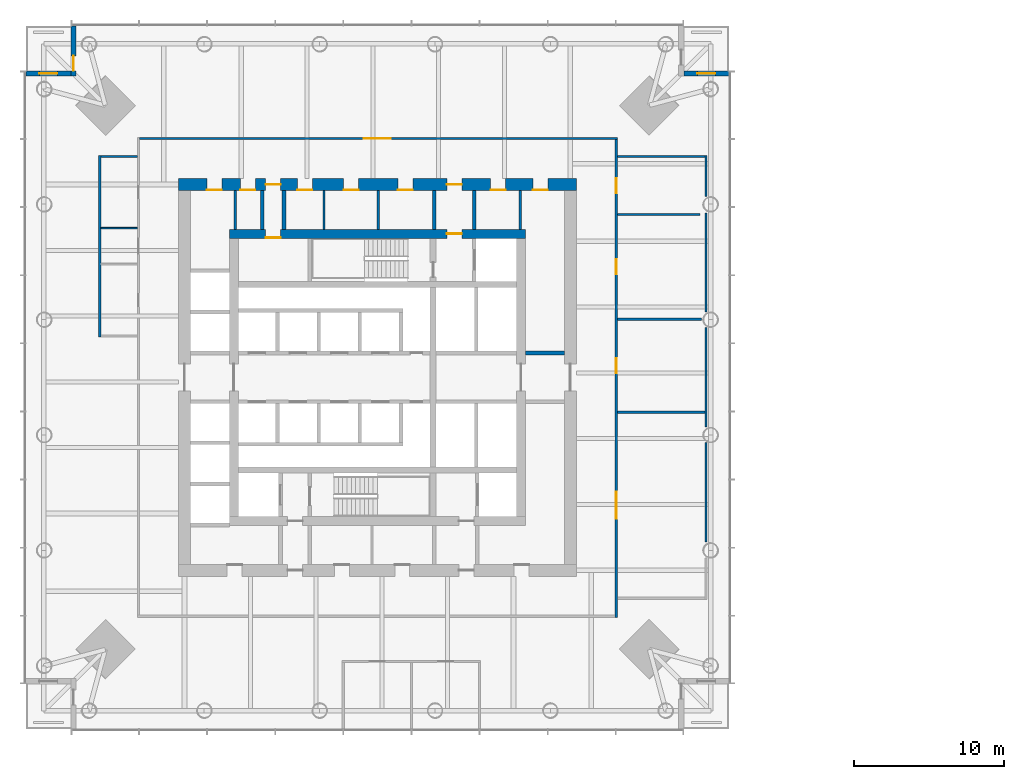
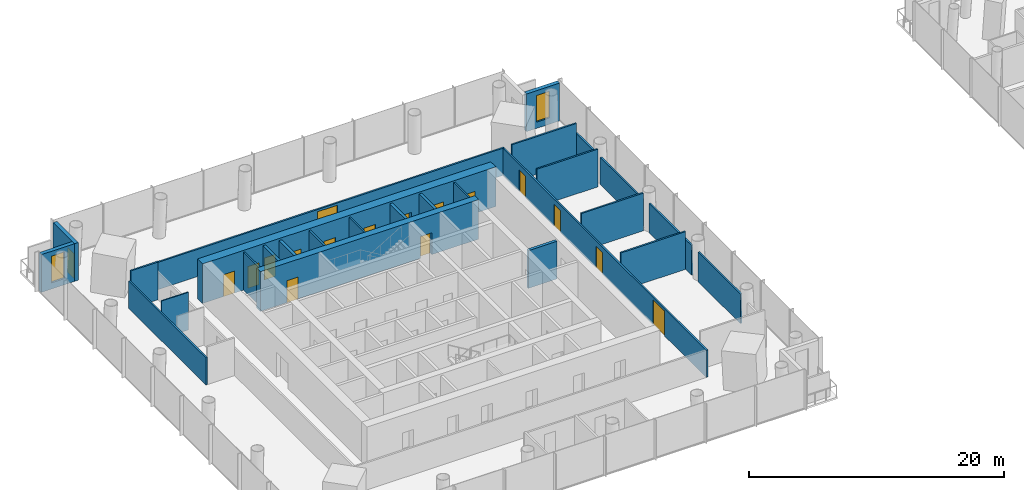
# One storey, part 11 of 18: 27 walls, 17 doors, 2 windows, 19 openings.
"""IFC4 building model written with IfcOpenShell, lengths in metres."""

from ifc_helpers import new_model, si_unit, direction, frame, frame_2d, origin, place, context, subcontext, project, spatial, rectangle, extrude, material, layer, layer_set, type_object, element, fill, save


model = new_model("IFC4")

# Units and contexts
model_context = context("Model", 3, precision=1e-05, world=origin(), true_north=direction((0.0, 1.0)))
body_context = subcontext(model_context, "Body", "Model", "MODEL_VIEW")
ifc_project = project(units=[si_unit("LENGTHUNIT", "METRE"), si_unit("AREAUNIT", "SQUARE_METRE"), si_unit("VOLUMEUNIT", "CUBIC_METRE"), si_unit("PLANEANGLEUNIT", "RADIAN"), si_unit("MASSUNIT", "GRAM", prefix="KILO")], contexts=[model_context])

# Site, building, storey
site_placement = place(None, origin())
site = spatial("IfcSite", under=ifc_project, at=site_placement, CompositionType="ELEMENT")
building_placement = place(site_placement, origin())
building = spatial("IfcBuilding", under=site, at=building_placement, Name="Ostroluk Exchange", CompositionType="ELEMENT")
storey_placement = place(building_placement, frame((0.0, 0.0, 74.199951171875)))
storey = spatial("IfcBuildingStorey", under=building, at=storey_placement, Name="L18", CompositionType="ELEMENT", Elevation=74.199951171875)

# Walls
ifc_material_1 = material(Name="Concrete blockwork", Category="masonry")
ifc_layer_1 = layer(ifc_material_1, 0.10009765625)
ifc_layer_set_1 = layer_set([ifc_layer_1], Name="Blockwork WC wall 100")
wall_type_1 = type_object("IfcWallType", Name="Blockwork WC wall 100", PredefinedType="SOLIDWALL", material=ifc_layer_set_1)
wall_1_placement = place(storey_placement, frame((28.949951171875, 55.97509765625, 0.0), z_axis=(0.0, 0.0, 1.0), x_axis=(-1.0, 0.0, 0.0)))
element("IfcWall", 1, at=wall_1_placement, inside=storey, type_object=wall_type_1, Name="Blockwork WC wall", PredefinedType="SOLIDWALL", context=body_context, shape_type="SweptSolid", body=[
    extrude(rectangle(XDim=2.449951171875, YDim=0.10009765625, at=frame_2d((1.22509765625, 0.0))), origin(), (0.0, 0.0, 1.0), 3.6201171875),
])
ifc_material_2 = material(Name="Concrete blockwork", Category="masonry")
ifc_layer_2 = layer(ifc_material_2, 0.14990234375)
ifc_layer_set_2 = layer_set([ifc_layer_2], Name="Blockwork plant room wall 150")
wall_type_2 = type_object("IfcWallType", Name="Blockwork plant room wall 150", PredefinedType="SOLIDWALL", material=ifc_layer_set_2)
for number, where, z_axis, x_axis, name in (
    (2, (35.491943359375, 55.89990234375, 0.0), (0.0, 0.0, 1.0), (0.0, 1.0, 0.0), "Core room wall"),
    (3, (41.42431640625, 55.89990234375, 0.0), (0.0, 0.0, 1.0), (0.0, 1.0, 0.0), "Core room wall"),
    (4, (45.05224609375, 55.89990234375, 0.0), (0.0, 0.0, 1.0), (0.0, 1.0, 0.0), "Core room wall"),
    (5, (54.550048828125, 55.89990234375, 0.0), (0.0, 0.0, 1.0), (0.0, 1.0, 0.0), "Core room wall"),
):
    element("IfcWall", number, at=place(storey_placement, frame(where, z_axis=z_axis, x_axis=x_axis)), inside=storey, type_object=wall_type_2, Name=name, PredefinedType="SOLIDWALL", context=body_context, shape_type="SweptSolid", body=[
        extrude(rectangle(XDim=2.60009765625, YDim=0.14990234375, at=frame_2d((1.300048828125, 0.0))), origin(), (0.0, 0.0, 1.0), 3.6201171875),
    ])
ifc_material_3 = material(Name="Concrete blockwork", Category="masonry")
ifc_layer_3 = layer(ifc_material_3, 0.25)
ifc_layer_set_3 = layer_set([ifc_layer_3], Name="Blockwork stair enclosure wall 250")
wall_type_3 = type_object("IfcWallType", Name="Blockwork stair enclosure wall 250", PredefinedType="SOLIDWALL", material=ifc_layer_set_3)
for number, where, z_axis, x_axis, name in (
    (6, (48.804931640625, 55.89990234375, 0.0), (0.0, 0.0, 1.0), (0.0, 1.0, 0.0), "Fire lobby enclosure wall"),
    (7, (51.47509765625, 55.89990234375, 0.0), (0.0, 0.0, 1.0), (0.0, 1.0, 0.0), "Fire lobby enclosure wall"),
    (8, (54.89990234375, 47.625, 0.0), (0.0, 0.0, 1.0), (1.0, 0.0, 0.0), "Lift lobby enclosure wall"),
    (9, (37.300048828125, 55.89990234375, 0.0), (0.0, 0.0, 1.0), (0.0, 1.0, 0.0), "Core corridor wall"),
    (10, (38.75, 55.89990234375, 0.0), (0.0, 0.0, 1.0), (0.0, 1.0, 0.0), "Core corridor wall"),
):
    element("IfcWall", number, at=place(storey_placement, frame(where, z_axis=z_axis, x_axis=x_axis)), inside=storey, type_object=wall_type_3, Name=name, PredefinedType="SOLIDWALL", context=body_context, shape_type="SweptSolid", body=[
        extrude(rectangle(XDim=2.60009765625, YDim=0.25, at=frame_2d((1.300048828125, 0.0))), origin(), (0.0, 0.0, 1.0), 3.6201171875),
    ])

# Wall, openings, doors
ifc_material_4 = material(Name="Concrete C50/60", Category="concrete")
ifc_layer_4 = layer(ifc_material_4, 0.60009765625)
ifc_layer_set_4 = layer_set([ifc_layer_4], Name="Core wall 600 C50/60")
wall_type_4 = type_object("IfcWallType", Name="Core wall 600 C50/60", PredefinedType="SHEAR", material=ifc_layer_set_4)
wall_2_placement = place(storey_placement, frame((35.10009765625, 55.60009765625, 0.0), z_axis=(0.0, 0.0, 1.0), x_axis=(1.0, 0.0, 0.0)))
wall_2 = element("IfcWall", 11, at=wall_2_placement, inside=storey, type_object=wall_type_4, Name="T1 core wall N", PredefinedType="SHEAR", context=body_context, shape_type="SweptSolid", body=[
    extrude(rectangle(XDim=19.7998046875, YDim=0.60009765625, at=frame_2d((9.89990234375, 0.0))), origin(), (0.0, 0.0, 1.0), 3.800048828125),
])
opening_1_placement = place(wall_2_placement, frame((14.5400390625, 0.0, 0.0)))
opening_1 = element("IfcOpeningElement", 12, at=opening_1_placement, cuts=wall_2, Name="Opening FD60", PredefinedType="OPENING", context=body_context, shape_type="SweptSolid", body=[
    extrude(rectangle(XDim=1.0, YDim=2.10009765625, at=frame_2d((0.5, 1.050048828125))), frame((0.0, 0.31005859375, 0.0), z_axis=(0.0, -1.0, 0.0), x_axis=(1.0, 0.0, 0.0)), (0.0, 0.0, 1.0), 0.6201171875),
])
opening_2_placement = place(wall_2_placement, frame((2.425048828125, 0.0, 0.0)))
opening_2 = element("IfcOpeningElement", 13, at=opening_2_placement, cuts=wall_2, Name="Opening FD60", PredefinedType="OPENING", context=body_context, shape_type="SweptSolid", body=[
    extrude(rectangle(XDim=1.0, YDim=2.10009765625, at=frame_2d((0.5, 1.050048828125))), frame((0.0, 0.31005859375, 0.0), z_axis=(0.0, -1.0, 0.0), x_axis=(1.0, 0.0, 0.0)), (0.0, 0.0, 1.0), 0.6201171875),
])
ifc_material_5 = material(Name="Steel", Category="steel")
door_type_1 = type_object("IfcDoorType", Name="Fire door EI 60 1000 x 2100", OperationType="SINGLE_SWING_LEFT", PredefinedType="DOOR", material=ifc_material_5)
door_1_placement = place(opening_1_placement, origin())
door_1 = element("IfcDoor", 14, at=door_1_placement, inside=storey, type_object=door_type_1, Name="Firefighting lobby door", OperationType="SINGLE_SWING_RIGHT", OverallHeight=2.10009765625, OverallWidth=1.0, PredefinedType="DOOR", context=body_context, shape_type="SweptSolid", body=[
    extrude(rectangle(XDim=1.0, YDim=2.10009765625, at=frame_2d((0.5, 1.050048828125))), frame((0.0, 0.02490234375, 0.0), z_axis=(0.0, -1.0, 0.0), x_axis=(1.0, 0.0, 0.0)), (0.0, 0.0, 1.0), 0.050048828125),
])
fill(opening_1, door_1)
door_2_placement = place(opening_2_placement, origin())
door_2 = element("IfcDoor", 15, at=door_2_placement, inside=storey, type_object=door_type_1, Name="Tea point door", OperationType="SINGLE_SWING_LEFT", OverallHeight=2.10009765625, OverallWidth=1.0, PredefinedType="DOOR", context=body_context, shape_type="SweptSolid", body=[
    extrude(rectangle(XDim=1.0, YDim=2.10009765625, at=frame_2d((0.5, 1.050048828125))), frame((0.0, -0.23974609375, 0.0), z_axis=(0.0, -1.0, 0.0), x_axis=(1.0, 0.0, 0.0)), (0.0, 0.0, 1.0), 0.050048828125),
])
fill(opening_2, door_2)

ifc_material_6 = material(Name="Concrete C50/60", Category="concrete")
ifc_layer_5 = layer(ifc_material_6, 0.800048828125)
ifc_layer_set_5 = layer_set([ifc_layer_5], Name="Core wall 800 C50/60")
wall_type_5 = type_object("IfcWallType", Name="Core wall 800 C50/60", PredefinedType="SHEAR", material=ifc_layer_set_5)
wall_3_placement = place(storey_placement, frame((31.699951171875, 58.89990234375, 0.0), z_axis=(0.0, 0.0, 1.0), x_axis=(1.0, 0.0, 0.0)))
wall_3 = element("IfcWall", 16, at=wall_3_placement, inside=storey, type_object=wall_type_5, Name="T1 core wall RN", PredefinedType="SHEAR", context=body_context, shape_type="SweptSolid", body=[
    extrude(rectangle(XDim=26.60009765625, YDim=0.800048828125, at=frame_2d((13.300048828125, 0.0))), origin(), (0.0, 0.0, 1.0), 3.800048828125),
])
opening_3_placement = place(wall_3_placement, frame((17.93994140625, 0.0, 0.0)))
opening_3 = element("IfcOpeningElement", 17, at=opening_3_placement, cuts=wall_3, Name="Opening FD60", PredefinedType="OPENING", context=body_context, shape_type="SweptSolid", body=[
    extrude(rectangle(XDim=1.0, YDim=2.10009765625, at=frame_2d((0.5, 1.050048828125))), frame((0.0, 0.409912109375, 0.0), z_axis=(0.0, -1.0, 0.0), x_axis=(1.0, 0.0, 0.0)), (0.0, 0.0, 1.0), 0.820068359375),
])
opening_4_placement = place(wall_3_placement, frame((5.824951171875, 0.0, 0.0)))
opening_4 = element("IfcOpeningElement", 18, at=opening_4_placement, cuts=wall_3, Name="Opening FD60", PredefinedType="OPENING", context=body_context, shape_type="SweptSolid", body=[
    extrude(rectangle(XDim=1.0, YDim=2.10009765625, at=frame_2d((0.5, 1.050048828125))), frame((0.0, 0.409912109375, 0.0), z_axis=(0.0, -1.0, 0.0), x_axis=(1.0, 0.0, 0.0)), (0.0, 0.0, 1.0), 0.820068359375),
])
opening_5_placement = place(wall_3_placement, frame((1.89990234375, 0.0, 0.0)))
opening_5 = element("IfcOpeningElement", 19, at=opening_5_placement, cuts=wall_3, Name="Opening FD60", PredefinedType="OPENING", context=body_context, shape_type="SweptSolid", body=[
    extrude(rectangle(XDim=1.0, YDim=2.10009765625, at=frame_2d((0.5, 1.050048828125))), frame((0.0, 0.409912109375, 0.0), z_axis=(0.0, -1.0, 0.0), x_axis=(1.0, 0.0, 0.0)), (0.0, 0.0, 1.0), 0.820068359375),
])
opening_6_placement = place(wall_3_placement, frame((4.133544921875, 0.0, 0.0)))
opening_6 = element("IfcOpeningElement", 20, at=opening_6_placement, cuts=wall_3, Name="Opening FD60", PredefinedType="OPENING", context=body_context, shape_type="SweptSolid", body=[
    extrude(rectangle(XDim=1.0, YDim=2.10009765625, at=frame_2d((0.5, 1.050048828125))), frame((0.0, 0.409912109375, 0.0), z_axis=(0.0, -1.0, 0.0), x_axis=(1.0, 0.0, 0.0)), (0.0, 0.0, 1.0), 0.820068359375),
])
opening_7_placement = place(wall_3_placement, frame((7.94970703125, 0.0, 0.0)))
opening_7 = element("IfcOpeningElement", 21, at=opening_7_placement, cuts=wall_3, Name="Opening FD60", PredefinedType="OPENING", context=body_context, shape_type="SweptSolid", body=[
    extrude(rectangle(XDim=1.0, YDim=2.10009765625, at=frame_2d((0.5, 1.050048828125))), frame((0.0, 0.409912109375, 0.0), z_axis=(0.0, -1.0, 0.0), x_axis=(1.0, 0.0, 0.0)), (0.0, 0.0, 1.0), 0.820068359375),
])
opening_8_placement = place(wall_3_placement, frame((11.038330078125, 0.0, 0.0)))
opening_8 = element("IfcOpeningElement", 22, at=opening_8_placement, cuts=wall_3, Name="Opening FD60", PredefinedType="OPENING", context=body_context, shape_type="SweptSolid", body=[
    extrude(rectangle(XDim=1.0, YDim=2.10009765625, at=frame_2d((0.5, 1.050048828125))), frame((0.0, 0.409912109375, 0.0), z_axis=(0.0, -1.0, 0.0), x_axis=(1.0, 0.0, 0.0)), (0.0, 0.0, 1.0), 0.820068359375),
])
opening_9_placement = place(wall_3_placement, frame((14.666015625, 0.0, 0.0)))
opening_9 = element("IfcOpeningElement", 23, at=opening_9_placement, cuts=wall_3, Name="Opening FD60", PredefinedType="OPENING", context=body_context, shape_type="SweptSolid", body=[
    extrude(rectangle(XDim=1.0, YDim=2.10009765625, at=frame_2d((0.5, 1.050048828125))), frame((0.0, 0.409912109375, 0.0), z_axis=(0.0, -1.0, 0.0), x_axis=(1.0, 0.0, 0.0)), (0.0, 0.0, 1.0), 0.820068359375),
])
opening_10_placement = place(wall_3_placement, frame((20.875, 0.0, 0.0)))
opening_10 = element("IfcOpeningElement", 24, at=opening_10_placement, cuts=wall_3, Name="Opening FD60", PredefinedType="OPENING", context=body_context, shape_type="SweptSolid", body=[
    extrude(rectangle(XDim=1.0, YDim=2.10009765625, at=frame_2d((0.5, 1.050048828125))), frame((0.0, 0.409912109375, 0.0), z_axis=(0.0, -1.0, 0.0), x_axis=(1.0, 0.0, 0.0)), (0.0, 0.0, 1.0), 0.820068359375),
])
opening_11_placement = place(wall_3_placement, frame((23.699951171875, 0.0, 0.0)))
opening_11 = element("IfcOpeningElement", 25, at=opening_11_placement, cuts=wall_3, Name="Opening FD60", PredefinedType="OPENING", context=body_context, shape_type="SweptSolid", body=[
    extrude(rectangle(XDim=1.0, YDim=2.10009765625, at=frame_2d((0.5, 1.050048828125))), frame((0.0, 0.409912109375, 0.0), z_axis=(0.0, -1.0, 0.0), x_axis=(1.0, 0.0, 0.0)), (0.0, 0.0, 1.0), 0.820068359375),
])
door_3_placement = place(opening_3_placement, origin())
door_3 = element("IfcDoor", 26, at=door_3_placement, inside=storey, type_object=door_type_1, Name="Firefighting lobby door", OperationType="SINGLE_SWING_RIGHT", OverallHeight=2.10009765625, OverallWidth=1.0, PredefinedType="DOOR", context=body_context, shape_type="SweptSolid", body=[
    extrude(rectangle(XDim=1.0, YDim=2.10009765625, at=frame_2d((0.5, 1.050048828125))), frame((0.0, 0.02490234375, 0.0), z_axis=(0.0, -1.0, 0.0), x_axis=(1.0, 0.0, 0.0)), (0.0, 0.0, 1.0), 0.050048828125),
])
fill(opening_3, door_3)
door_4_placement = place(opening_4_placement, origin())
door_4 = element("IfcDoor", 27, at=door_4_placement, inside=storey, type_object=door_type_1, Name="Core corridor door", OperationType="SINGLE_SWING_LEFT", OverallHeight=2.10009765625, OverallWidth=1.0, PredefinedType="DOOR", context=body_context, shape_type="SweptSolid", body=[
    extrude(rectangle(XDim=1.0, YDim=2.10009765625, at=frame_2d((0.5, 1.050048828125))), frame((0.0, 0.02490234375, 0.0), z_axis=(0.0, -1.0, 0.0), x_axis=(1.0, 0.0, 0.0)), (0.0, 0.0, 1.0), 0.050048828125),
])
fill(opening_4, door_4)
door_5_placement = place(opening_5_placement, origin())
door_5 = element("IfcDoor", 28, at=door_5_placement, inside=storey, type_object=door_type_1, Name="Tenant IT room door", OperationType="SINGLE_SWING_LEFT", OverallHeight=2.10009765625, OverallWidth=1.0, PredefinedType="DOOR", context=body_context, shape_type="SweptSolid", body=[
    extrude(rectangle(XDim=1.0, YDim=2.10009765625, at=frame_2d((0.5, 1.050048828125))), frame((0.0, -0.33984375, 0.0), z_axis=(0.0, -1.0, 0.0), x_axis=(1.0, 0.0, 0.0)), (0.0, 0.0, 1.0), 0.050048828125),
])
fill(opening_5, door_5)
door_6_placement = place(opening_6_placement, origin())
door_6 = element("IfcDoor", 29, at=door_6_placement, inside=storey, type_object=door_type_1, Name="Store door", OperationType="SINGLE_SWING_LEFT", OverallHeight=2.10009765625, OverallWidth=1.0, PredefinedType="DOOR", context=body_context, shape_type="SweptSolid", body=[
    extrude(rectangle(XDim=1.0, YDim=2.10009765625, at=frame_2d((0.5, 1.050048828125))), frame((0.0, -0.33984375, 0.0), z_axis=(0.0, -1.0, 0.0), x_axis=(1.0, 0.0, 0.0)), (0.0, 0.0, 1.0), 0.050048828125),
])
fill(opening_6, door_6)
door_7_placement = place(opening_7_placement, origin())
door_7 = element("IfcDoor", 30, at=door_7_placement, inside=storey, type_object=door_type_1, Name="Print and post room door", OperationType="SINGLE_SWING_LEFT", OverallHeight=2.10009765625, OverallWidth=1.0, PredefinedType="DOOR", context=body_context, shape_type="SweptSolid", body=[
    extrude(rectangle(XDim=1.0, YDim=2.10009765625, at=frame_2d((0.5, 1.050048828125))), frame((0.0, -0.33984375, 0.0), z_axis=(0.0, -1.0, 0.0), x_axis=(1.0, 0.0, 0.0)), (0.0, 0.0, 1.0), 0.050048828125),
])
fill(opening_7, door_7)
door_8_placement = place(opening_8_placement, origin())
door_8 = element("IfcDoor", 31, at=door_8_placement, inside=storey, type_object=door_type_1, Name="Archive door", OperationType="SINGLE_SWING_LEFT", OverallHeight=2.10009765625, OverallWidth=1.0, PredefinedType="DOOR", context=body_context, shape_type="SweptSolid", body=[
    extrude(rectangle(XDim=1.0, YDim=2.10009765625, at=frame_2d((0.5, 1.050048828125))), frame((0.0, -0.33984375, 0.0), z_axis=(0.0, -1.0, 0.0), x_axis=(1.0, 0.0, 0.0)), (0.0, 0.0, 1.0), 0.050048828125),
])
fill(opening_8, door_8)
door_9_placement = place(opening_9_placement, origin())
door_9 = element("IfcDoor", 32, at=door_9_placement, inside=storey, type_object=door_type_1, Name="Tenant IT room door", OperationType="SINGLE_SWING_RIGHT", OverallHeight=2.10009765625, OverallWidth=1.0, PredefinedType="DOOR", context=body_context, shape_type="SweptSolid", body=[
    extrude(rectangle(XDim=1.0, YDim=2.10009765625, at=frame_2d((0.5, 1.050048828125))), frame((0.0, -0.33984375, 0.0), z_axis=(0.0, -1.0, 0.0), x_axis=(1.0, 0.0, 0.0)), (0.0, 0.0, 1.0), 0.050048828125),
])
fill(opening_9, door_9)
door_10_placement = place(opening_10_placement, origin())
door_10 = element("IfcDoor", 33, at=door_10_placement, inside=storey, type_object=door_type_1, Name="First aid room door", OperationType="SINGLE_SWING_RIGHT", OverallHeight=2.10009765625, OverallWidth=1.0, PredefinedType="DOOR", context=body_context, shape_type="SweptSolid", body=[
    extrude(rectangle(XDim=1.0, YDim=2.10009765625, at=frame_2d((0.5, 1.050048828125))), frame((0.0, -0.33984375, 0.0), z_axis=(0.0, -1.0, 0.0), x_axis=(1.0, 0.0, 0.0)), (0.0, 0.0, 1.0), 0.050048828125),
])
fill(opening_10, door_10)
door_11_placement = place(opening_11_placement, origin())
door_11 = element("IfcDoor", 34, at=door_11_placement, inside=storey, type_object=door_type_1, Name="Tea point door", OperationType="SINGLE_SWING_RIGHT", OverallHeight=2.10009765625, OverallWidth=1.0, PredefinedType="DOOR", context=body_context, shape_type="SweptSolid", body=[
    extrude(rectangle(XDim=1.0, YDim=2.10009765625, at=frame_2d((0.5, 1.050048828125))), frame((0.0, -0.33984375, 0.0), z_axis=(0.0, -1.0, 0.0), x_axis=(1.0, 0.0, 0.0)), (0.0, 0.0, 1.0), 0.050048828125),
])
fill(opening_11, door_11)

# Wall, opening, window
ifc_material_7 = material(Name="Limestone", Category="masonry")
ifc_layer_6 = layer(ifc_material_7, 0.35009765625)
ifc_layer_set_6 = layer_set([ifc_layer_6], Name="Limestone facade wall 350")
wall_type_6 = type_object("IfcWallType", Name="Limestone facade wall 350", PredefinedType="SOLIDWALL", material=ifc_layer_set_6)
wall_4_placement = place(storey_placement, frame((65.5, 66.324951171875, 0.0), z_axis=(0.0, 0.0, 1.0), x_axis=(1.0, 0.0, 0.0)))
wall_4 = element("IfcWall", 35, at=wall_4_placement, inside=storey, type_object=wall_type_6, Name="Office tower NE corner wall L18 b", PredefinedType="SOLIDWALL", context=body_context, shape_type="SweptSolid", body=[
    extrude(rectangle(XDim=3.0, YDim=0.35009765625, at=frame_2d((1.5, 0.0))), origin(), (0.0, 0.0, 1.0), 3.6201171875),
])
opening_12_placement = place(wall_4_placement, frame((0.89990234375, 0.0, 0.60009765625)))
opening_12 = element("IfcOpeningElement", 36, at=opening_12_placement, cuts=wall_4, Name="Opening WN-L1", PredefinedType="OPENING", context=body_context, shape_type="SweptSolid", body=[
    extrude(rectangle(XDim=1.199951171875, YDim=2.550048828125, at=frame_2d((0.60009765625, 1.27490234375))), frame((0.0, 0.18505859375, 0.0), z_axis=(0.0, -1.0, 0.0), x_axis=(1.0, 0.0, 0.0)), (0.0, 0.0, 1.0), 0.3701171875),
])
ifc_material_8 = material(Name="Laminated clear glass", Category="glass")
window_type = type_object("IfcWindowType", Name="Lancet window 1200 x 2550", PartitioningType="SINGLE_PANEL", PredefinedType="WINDOW", material=ifc_material_8)
window_1_placement = place(opening_12_placement, origin())
window_1 = element("IfcWindow", 37, at=window_1_placement, inside=storey, type_object=window_type, Name="Office tower NE lancet window L18", OverallHeight=2.550048828125, OverallWidth=1.199951171875, PartitioningType="SINGLE_PANEL", PredefinedType="WINDOW", context=body_context, shape_type="SweptSolid", body=[
    extrude(rectangle(XDim=1.199951171875, YDim=2.550048828125, at=frame_2d((0.60009765625, 1.27490234375))), frame((0.0, 0.030029296875, 0.0), z_axis=(0.0, -1.0, 0.0), x_axis=(1.0, 0.0, 0.0)), (0.0, 0.0, 1.0), 0.06005859375),
])
fill(opening_12, window_1)

# Wall, opening, door
wall_5_placement = place(storey_placement, frame((24.675048828125, 69.5, 0.0), z_axis=(0.0, 0.0, 1.0), x_axis=(0.0, -1.0, 0.0)))
wall_5 = element("IfcWall", 38, at=wall_5_placement, inside=storey, type_object=wall_type_6, Name="Office tower NW corner wall L18 a", PredefinedType="SOLIDWALL", context=body_context, shape_type="SweptSolid", body=[
    extrude(rectangle(XDim=3.35009765625, YDim=0.35009765625, at=frame_2d((1.675048828125, 0.0))), origin(), (0.0, 0.0, 1.0), 3.6201171875),
])
opening_13_placement = place(wall_5_placement, frame((2.0, 0.0, 0.0)))
opening_13 = element("IfcOpeningElement", 39, at=opening_13_placement, cuts=wall_5, Name="Opening D-B1", PredefinedType="OPENING", context=body_context, shape_type="SweptSolid", body=[
    extrude(rectangle(XDim=1.0, YDim=2.39990234375, at=frame_2d((0.5, 1.199951171875))), frame((0.0, 0.18505859375, 0.0), z_axis=(0.0, -1.0, 0.0), x_axis=(1.0, 0.0, 0.0)), (0.0, 0.0, 1.0), 0.3701171875),
])
ifc_material_9 = material(Name="Bronze framed glazed door", Category="aluminium")
door_type_2 = type_object("IfcDoorType", Name="Balcony door 1000 x 2400", OperationType="SINGLE_SWING_LEFT", PredefinedType="DOOR", material=ifc_material_9)
door_12_placement = place(opening_13_placement, origin())
door_12 = element("IfcDoor", 40, at=door_12_placement, inside=storey, type_object=door_type_2, Name="Office tower NW balcony door L18", OperationType="SINGLE_SWING_RIGHT", OverallHeight=2.39990234375, OverallWidth=1.0, PredefinedType="DOOR", context=body_context, shape_type="SweptSolid", body=[
    extrude(rectangle(XDim=1.0, YDim=2.39990234375, at=frame_2d((0.5, 1.199951171875))), frame((0.0, 0.02490234375, 0.0), z_axis=(0.0, -1.0, 0.0), x_axis=(1.0, 0.0, 0.0)), (0.0, 0.0, 1.0), 0.050048828125),
])
fill(opening_13, door_12)

# Wall, opening, window
wall_6_placement = place(storey_placement, frame((24.5, 66.324951171875, 0.0), z_axis=(0.0, 0.0, 1.0), x_axis=(-1.0, 0.0, 0.0)))
wall_6 = element("IfcWall", 41, at=wall_6_placement, inside=storey, type_object=wall_type_6, Name="Office tower NW corner wall L18 b", PredefinedType="SOLIDWALL", context=body_context, shape_type="SweptSolid", body=[
    extrude(rectangle(XDim=3.0, YDim=0.35009765625, at=frame_2d((1.5, 0.0))), origin(), (0.0, 0.0, 1.0), 3.6201171875),
])
opening_14_placement = place(wall_6_placement, frame((0.89990234375, 0.0, 0.60009765625)))
opening_14 = element("IfcOpeningElement", 42, at=opening_14_placement, cuts=wall_6, Name="Opening WN-L1", PredefinedType="OPENING", context=body_context, shape_type="SweptSolid", body=[
    extrude(rectangle(XDim=1.199951171875, YDim=2.550048828125, at=frame_2d((0.60009765625, 1.27490234375))), frame((0.0, 0.18505859375, 0.0), z_axis=(0.0, -1.0, 0.0), x_axis=(1.0, 0.0, 0.0)), (0.0, 0.0, 1.0), 0.3701171875),
])
window_2_placement = place(opening_14_placement, origin())
window_2 = element("IfcWindow", 43, at=window_2_placement, inside=storey, type_object=window_type, Name="Office tower NW lancet window L18", OverallHeight=2.550048828125, OverallWidth=1.199951171875, PartitioningType="SINGLE_PANEL", PredefinedType="WINDOW", context=body_context, shape_type="SweptSolid", body=[
    extrude(rectangle(XDim=1.199951171875, YDim=2.550048828125, at=frame_2d((0.60009765625, 1.27490234375))), frame((0.0, 0.030029296875, 0.0), z_axis=(0.0, -1.0, 0.0), x_axis=(1.0, 0.0, 0.0)), (0.0, 0.0, 1.0), 0.06005859375),
])
fill(opening_14, window_2)

# Walls
ifc_material_10 = material(Name="Gypsum plasterboard partition", Category="gypsum")
ifc_layer_7 = layer(ifc_material_10, 0.14990234375)
ifc_layer_set_7 = layer_set([ifc_layer_7], Name="Plasterboard partition 150")
wall_type_7 = type_object("IfcWallType", Name="Plasterboard partition 150", PredefinedType="PARTITIONING", material=ifc_layer_set_7)
wall_7_placement = place(storey_placement, frame((61.050048828125, 43.6669921875, 0.0), z_axis=(0.0, 0.0, 1.0), x_axis=(1.0, 0.0, 0.0)))
element("IfcWall", 44, at=wall_7_placement, inside=storey, type_object=wall_type_7, Name="Partition", PredefinedType="PARTITIONING", context=body_context, shape_type="SweptSolid", body=[
    extrude(rectangle(XDim=5.849853515625, YDim=0.14990234375, at=frame_2d((2.9248046875, 0.0))), origin(), (0.0, 0.0, 1.0), 3.6201171875),
])
wall_8_placement = place(storey_placement, frame((61.050048828125, 49.88818359375, 0.0), z_axis=(0.0, 0.0, 1.0), x_axis=(1.0, 0.0, 0.0)))
element("IfcWall", 45, at=wall_8_placement, inside=storey, type_object=wall_type_7, Name="Partition", PredefinedType="PARTITIONING", context=body_context, shape_type="SweptSolid", body=[
    extrude(rectangle(XDim=5.62060546875, YDim=0.14990234375, at=frame_2d((2.810302734375, 0.0))), origin(), (0.0, 0.0, 1.0), 3.6201171875),
])
wall_9_placement = place(storey_placement, frame((61.050048828125, 56.886962890625, 0.0), z_axis=(0.0, 0.0, 1.0), x_axis=(1.0, 0.0, 0.0)))
element("IfcWall", 46, at=wall_9_placement, inside=storey, type_object=wall_type_7, Name="Partition", PredefinedType="PARTITIONING", context=body_context, shape_type="SweptSolid", body=[
    extrude(rectangle(XDim=5.517822265625, YDim=0.14990234375, at=frame_2d((2.7587890625, 0.0))), origin(), (0.0, 0.0, 1.0), 3.6201171875),
])
wall_10_placement = place(storey_placement, frame((61.050048828125, 60.77490234375, 0.0), z_axis=(0.0, 0.0, 1.0), x_axis=(1.0, 0.0, 0.0)))
element("IfcWall", 47, at=wall_10_placement, inside=storey, type_object=wall_type_7, Name="Partition", PredefinedType="PARTITIONING", context=body_context, shape_type="SweptSolid", body=[
    extrude(rectangle(XDim=5.849853515625, YDim=0.14990234375, at=frame_2d((2.9248046875, 0.0))), origin(), (0.0, 0.0, 1.0), 3.6201171875),
])
wall_11_placement = place(storey_placement, frame((66.97509765625, 35.0009765625, 0.0), z_axis=(0.0, 0.0, 1.0), x_axis=(0.0, 1.0, 0.0)))
element("IfcWall", 48, at=wall_11_placement, inside=storey, type_object=wall_type_7, Name="Partition", PredefinedType="PARTITIONING", context=body_context, shape_type="SweptSolid", body=[
    extrude(rectangle(XDim=6.631103515625, YDim=0.14990234375, at=frame_2d((3.3154296875, 0.0))), origin(), (0.0, 0.0, 1.0), 2.85009765625),
])
wall_12_placement = place(storey_placement, frame((66.97509765625, 42.67236328125, 0.0), z_axis=(0.0, 0.0, 1.0), x_axis=(0.0, 1.0, 0.0)))
element("IfcWall", 49, at=wall_12_placement, inside=storey, type_object=wall_type_7, Name="Partition", PredefinedType="PARTITIONING", context=body_context, shape_type="SweptSolid", body=[
    extrude(rectangle(XDim=6.6552734375, YDim=0.14990234375, at=frame_2d((3.32763671875, 0.0))), origin(), (0.0, 0.0, 1.0), 2.85009765625),
])
wall_13_placement = place(storey_placement, frame((66.97509765625, 50.367919921875, 0.0), z_axis=(0.0, 0.0, 1.0), x_axis=(0.0, 1.0, 0.0)))
element("IfcWall", 50, at=wall_13_placement, inside=storey, type_object=wall_type_7, Name="Partition", PredefinedType="PARTITIONING", context=body_context, shape_type="SweptSolid", body=[
    extrude(rectangle(XDim=6.631103515625, YDim=0.14990234375, at=frame_2d((3.3154296875, 0.0))), origin(), (0.0, 0.0, 1.0), 2.612060546875),
])
wall_14_placement = place(storey_placement, frame((66.97509765625, 58.087890625, 0.0), z_axis=(0.0, 0.0, 1.0), x_axis=(0.0, 1.0, 0.0)))
element("IfcWall", 51, at=wall_14_placement, inside=storey, type_object=wall_type_7, Name="Partition", PredefinedType="PARTITIONING", context=body_context, shape_type="SweptSolid", body=[
    extrude(rectangle(XDim=2.76220703125, YDim=0.14990234375, at=frame_2d((1.381103515625, 0.0))), origin(), (0.0, 0.0, 1.0), 2.612060546875),
])

# Wall, openings, doors
wall_15_placement = place(storey_placement, frame((60.97509765625, 29.949951171875, 0.0), z_axis=(0.0, 0.0, 1.0), x_axis=(0.0, 1.0, 0.0)))
wall_15 = element("IfcWall", 52, at=wall_15_placement, inside=storey, type_object=wall_type_7, Name="Corridor wall", PredefinedType="PARTITIONING", context=body_context, shape_type="SweptSolid", body=[
    extrude(rectangle(XDim=31.949951171875, YDim=0.14990234375, at=frame_2d((15.97509765625, 0.0))), origin(), (0.0, 0.0, 1.0), 2.612060546875),
])
opening_15_placement = place(wall_15_placement, frame((6.595947265625, 0.0, 0.0)))
opening_15 = element("IfcOpeningElement", 53, at=opening_15_placement, cuts=wall_15, Name="Opening D-04", PredefinedType="OPENING", context=body_context, shape_type="SweptSolid", body=[
    extrude(rectangle(XDim=1.800048828125, YDim=2.39990234375, at=frame_2d((0.89990234375, 1.199951171875))), frame((0.0, 0.0849609375, 0.0), z_axis=(0.0, -1.0, 0.0), x_axis=(1.0, 0.0, 0.0)), (0.0, 0.0, 1.0), 0.169921875),
])
opening_16_placement = place(wall_15_placement, frame((16.32763671875, 0.0, 0.0)))
opening_16 = element("IfcOpeningElement", 54, at=opening_16_placement, cuts=wall_15, Name="Opening D-03", PredefinedType="OPENING", context=body_context, shape_type="SweptSolid", body=[
    extrude(rectangle(XDim=1.0, YDim=2.10009765625, at=frame_2d((0.5, 1.050048828125))), frame((0.0, 0.0849609375, 0.0), z_axis=(0.0, -1.0, 0.0), x_axis=(1.0, 0.0, 0.0)), (0.0, 0.0, 1.0), 0.169921875),
])
opening_17_placement = place(wall_15_placement, frame((22.9375, 0.0, 0.0)))
opening_17 = element("IfcOpeningElement", 55, at=opening_17_placement, cuts=wall_15, Name="Opening D-03", PredefinedType="OPENING", context=body_context, shape_type="SweptSolid", body=[
    extrude(rectangle(XDim=1.0, YDim=2.10009765625, at=frame_2d((0.5, 1.050048828125))), frame((0.0, 0.0849609375, 0.0), z_axis=(0.0, -1.0, 0.0), x_axis=(1.0, 0.0, 0.0)), (0.0, 0.0, 1.0), 0.169921875),
])
opening_18_placement = place(wall_15_placement, frame((28.380859375, 0.0, 0.0)))
opening_18 = element("IfcOpeningElement", 56, at=opening_18_placement, cuts=wall_15, Name="Opening D-03", PredefinedType="OPENING", context=body_context, shape_type="SweptSolid", body=[
    extrude(rectangle(XDim=1.0, YDim=2.10009765625, at=frame_2d((0.5, 1.050048828125))), frame((0.0, 0.0849609375, 0.0), z_axis=(0.0, -1.0, 0.0), x_axis=(1.0, 0.0, 0.0)), (0.0, 0.0, 1.0), 0.169921875),
])
ifc_material_11 = material(Name="Timber", Category="wood")
door_type_3 = type_object("IfcDoorType", Name="Double door 1800 x 2400", OperationType="DOUBLE_DOOR_SINGLE_SWING", PredefinedType="DOOR", material=ifc_material_11)
door_13_placement = place(opening_15_placement, origin())
door_13 = element("IfcDoor", 57, at=door_13_placement, inside=storey, type_object=door_type_3, Name="Boardroom door", OperationType="DOUBLE_DOOR_SINGLE_SWING", OverallHeight=2.39990234375, OverallWidth=1.800048828125, PredefinedType="DOOR", context=body_context, shape_type="SweptSolid", body=[
    extrude(rectangle(XDim=1.800048828125, YDim=2.39990234375, at=frame_2d((0.89990234375, 1.199951171875))), frame((0.0, 0.02490234375, 0.0), z_axis=(0.0, -1.0, 0.0), x_axis=(1.0, 0.0, 0.0)), (0.0, 0.0, 1.0), 0.050048828125),
])
fill(opening_15, door_13)
ifc_material_12 = material(Name="Timber", Category="wood")
door_type_4 = type_object("IfcDoorType", Name="Internal door 1000 x 2100", OperationType="SINGLE_SWING_LEFT", PredefinedType="DOOR", material=ifc_material_12)
door_14_placement = place(opening_16_placement, origin())
door_14 = element("IfcDoor", 58, at=door_14_placement, inside=storey, type_object=door_type_4, Name="Meeting room door", OperationType="SINGLE_SWING_RIGHT", OverallHeight=2.10009765625, OverallWidth=1.0, PredefinedType="DOOR", context=body_context, shape_type="SweptSolid", body=[
    extrude(rectangle(XDim=1.0, YDim=2.10009765625, at=frame_2d((0.5, 1.050048828125))), frame((0.0, 0.02490234375, 0.0), z_axis=(0.0, -1.0, 0.0), x_axis=(1.0, 0.0, 0.0)), (0.0, 0.0, 1.0), 0.050048828125),
])
fill(opening_16, door_14)
door_15_placement = place(opening_17_placement, origin())
door_15 = element("IfcDoor", 59, at=door_15_placement, inside=storey, type_object=door_type_4, Name="Pantry door", OperationType="SINGLE_SWING_RIGHT", OverallHeight=2.10009765625, OverallWidth=1.0, PredefinedType="DOOR", context=body_context, shape_type="SweptSolid", body=[
    extrude(rectangle(XDim=1.0, YDim=2.10009765625, at=frame_2d((0.5, 1.050048828125))), frame((0.0, 0.02490234375, 0.0), z_axis=(0.0, -1.0, 0.0), x_axis=(1.0, 0.0, 0.0)), (0.0, 0.0, 1.0), 0.050048828125),
])
fill(opening_17, door_15)
door_16_placement = place(opening_18_placement, origin())
door_16 = element("IfcDoor", 60, at=door_16_placement, inside=storey, type_object=door_type_4, Name="Print and store room door", OperationType="SINGLE_SWING_RIGHT", OverallHeight=2.10009765625, OverallWidth=1.0, PredefinedType="DOOR", context=body_context, shape_type="SweptSolid", body=[
    extrude(rectangle(XDim=1.0, YDim=2.10009765625, at=frame_2d((0.5, 1.050048828125))), frame((0.0, 0.02490234375, 0.0), z_axis=(0.0, -1.0, 0.0), x_axis=(1.0, 0.0, 0.0)), (0.0, 0.0, 1.0), 0.050048828125),
])
fill(opening_18, door_16)

# Wall, opening, door
wall_16_placement = place(storey_placement, frame((61.050048828125, 61.97509765625, 0.0), z_axis=(0.0, 0.0, 1.0), x_axis=(-1.0, 0.0, 0.0)))
wall_16 = element("IfcWall", 61, at=wall_16_placement, inside=storey, type_object=wall_type_7, Name="Corridor wall", PredefinedType="PARTITIONING", context=body_context, shape_type="SweptSolid", body=[
    extrude(rectangle(XDim=31.949951171875, YDim=0.14990234375, at=frame_2d((15.97509765625, 0.0))), origin(), (0.0, 0.0, 1.0), 2.612060546875),
])
opening_19_placement = place(wall_16_placement, frame((15.14990234375, 0.0, 0.0)))
opening_19 = element("IfcOpeningElement", 62, at=opening_19_placement, cuts=wall_16, Name="Opening D-04", PredefinedType="OPENING", context=body_context, shape_type="SweptSolid", body=[
    extrude(rectangle(XDim=1.800048828125, YDim=2.39990234375, at=frame_2d((0.89990234375, 1.199951171875))), frame((0.0, 0.0849609375, 0.0), z_axis=(0.0, -1.0, 0.0), x_axis=(1.0, 0.0, 0.0)), (0.0, 0.0, 1.0), 0.169921875),
])
door_17_placement = place(opening_19_placement, origin())
door_17 = element("IfcDoor", 63, at=door_17_placement, inside=storey, type_object=door_type_3, Name="Open plan office door", OperationType="DOUBLE_DOOR_SINGLE_SWING", OverallHeight=2.39990234375, OverallWidth=1.800048828125, PredefinedType="DOOR", context=body_context, shape_type="SweptSolid", body=[
    extrude(rectangle(XDim=1.800048828125, YDim=2.39990234375, at=frame_2d((0.89990234375, 1.199951171875))), frame((0.0, 0.02490234375, 0.0), z_axis=(0.0, -1.0, 0.0), x_axis=(1.0, 0.0, 0.0)), (0.0, 0.0, 1.0), 0.050048828125),
])
fill(opening_19, door_17)

# Walls
ifc_material_13 = material(Name="Gypsum plasterboard partition, moisture resistant", Category="gypsum")
ifc_layer_8 = layer(ifc_material_13, 0.14990234375)
ifc_layer_set_8 = layer_set([ifc_layer_8], Name="Plasterboard toilet partition 150")
wall_type_8 = type_object("IfcWallType", Name="Plasterboard toilet partition 150", PredefinedType="PARTITIONING", material=ifc_layer_set_8)
wall_17_placement = place(storey_placement, frame((26.425048828125, 60.85009765625, 0.0), z_axis=(0.0, 0.0, 1.0), x_axis=(0.0, -1.0, 0.0)))
element("IfcWall", 64, at=wall_17_placement, inside=storey, type_object=wall_type_8, Name="Toilet partition", PredefinedType="PARTITIONING", context=body_context, shape_type="SweptSolid", body=[
    extrude(rectangle(XDim=12.150146484375, YDim=0.14990234375, at=frame_2d((6.0751953125, 0.0))), origin(), (0.0, 0.0, 1.0), 2.612060546875),
])
wall_18_placement = place(storey_placement, frame((28.949951171875, 60.77490234375, 0.0), z_axis=(0.0, 0.0, 1.0), x_axis=(-1.0, 0.0, 0.0)))
element("IfcWall", 65, at=wall_18_placement, inside=storey, type_object=wall_type_8, Name="Toilet partition", PredefinedType="PARTITIONING", context=body_context, shape_type="SweptSolid", body=[
    extrude(rectangle(XDim=2.449951171875, YDim=0.14990234375, at=frame_2d((1.22509765625, 0.0))), origin(), (0.0, 0.0, 1.0), 3.6201171875),
])

save(model, "model.ifc")
